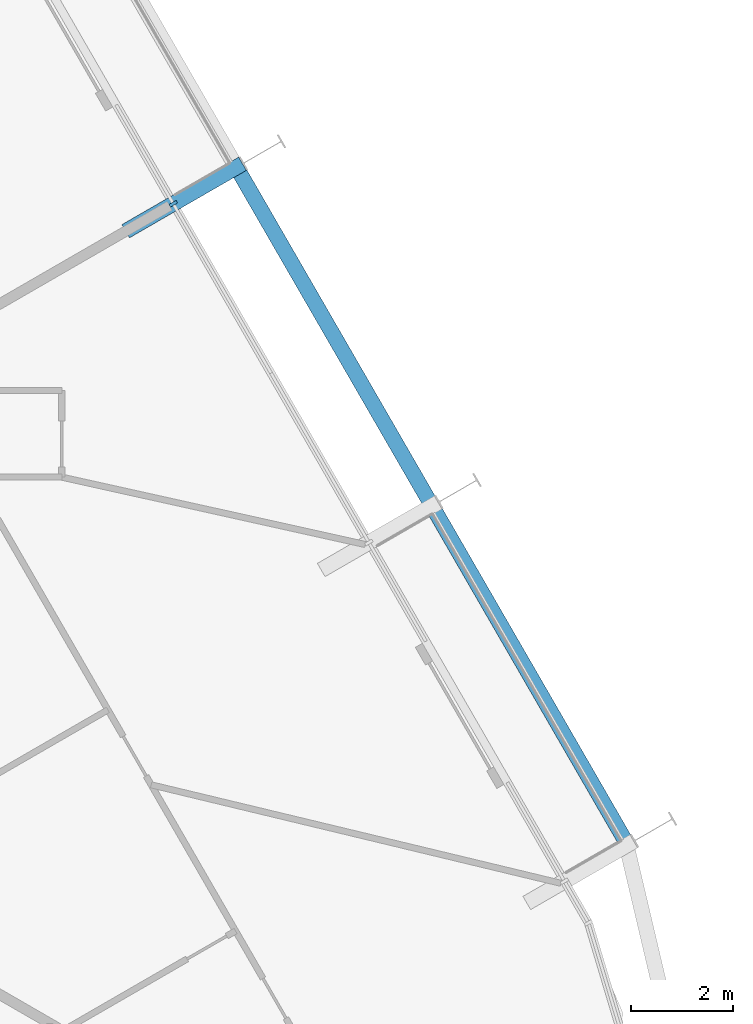
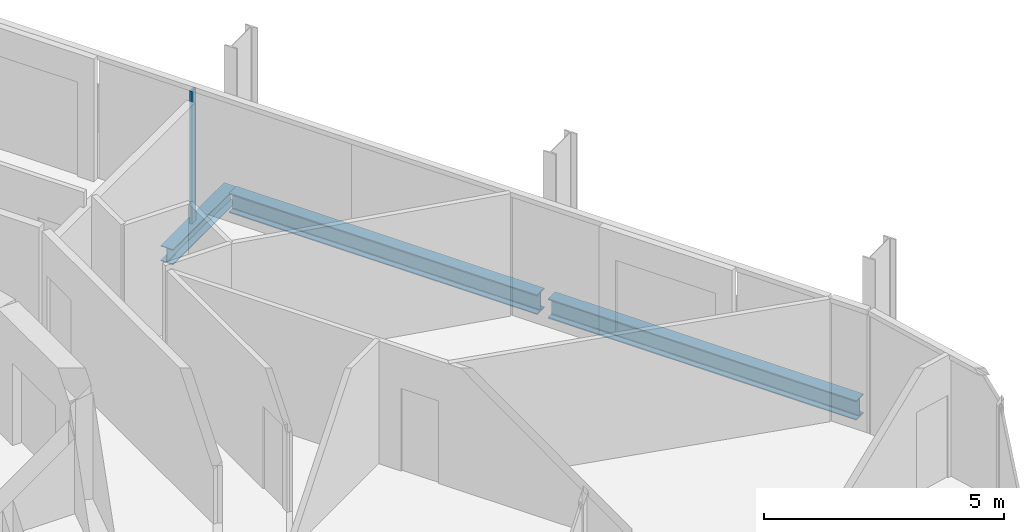
# One storey, part 8 of 21: 3 beams, 1 member, 1 element without a shape of its own.
"""IFC4 building model written with IfcOpenShell, lengths in metres."""

from ifc_helpers import new_model, si_unit, direction, frame, origin, origin_2d, place, context, subcontext, project, spatial, rectangle, i_section, extrude, material, layer, layer_set, material_profile, profile_set, type_object, element, aggregate, save


model = new_model("IFC4")

# Units and contexts
model_context = context("Model", 3, precision=1e-05, world=origin(), true_north=direction((0.0, 1.0)))
body_context = subcontext(model_context, "Body", "Model", "MODEL_VIEW")
ifc_project = project(units=[si_unit("LENGTHUNIT", "METRE"), si_unit("AREAUNIT", "SQUARE_METRE"), si_unit("VOLUMEUNIT", "CUBIC_METRE"), si_unit("PLANEANGLEUNIT", "RADIAN"), si_unit("MASSUNIT", "GRAM", prefix="KILO")], contexts=[model_context])

# Site, building, storey
site_placement = place(None, origin())
site = spatial("IfcSite", under=ifc_project, at=site_placement, CompositionType="ELEMENT")
building_placement = place(site_placement, origin())
building = spatial("IfcBuilding", under=site, at=building_placement, Name="Spindle Arch Residences", CompositionType="ELEMENT")
storey_placement = place(building_placement, frame((0.0, 0.0, 55.89990234375)))
storey = spatial("IfcBuildingStorey", under=building, at=storey_placement, Name="L12", CompositionType="ELEMENT", Elevation=55.89990234375)

# Curtain wall, member
ifc_material_1 = material(Name="Aluminium bronze unitised frame with tinted glass", Category="aluminium")
ifc_layer = layer(ifc_material_1, 0.159912109375)
ifc_layer_set = layer_set([ifc_layer], Name="CW-C typical residential unitised wall")
curtain_wall_type = type_object("IfcCurtainWallType", Name="CW-C typical residential unitised wall", PredefinedType="NOTDEFINED", material=ifc_layer_set)
curtain_wall_placement = place(storey_placement, origin())
curtain_wall = element("IfcCurtainWall", 1, at=curtain_wall_placement, inside=storey, type_object=curtain_wall_type, Name="CW-C L12 run 2", PredefinedType="NOTDEFINED")
ifc_material_2 = material(Name="Aluminium bronze anodised mullion", Category="aluminium")
ifc_material_profile_1 = material_profile(ifc_material_2, rectangle(XDim=0.159912109375, YDim=0.06005859375, at=origin_2d()), Name="MU 60x160")
ifc_profile_set_1 = profile_set([ifc_material_profile_1], Name="Aluminium bronze anodised mullion")
member_type = type_object("IfcMemberType", Name="Bronze mullion 60x160", PredefinedType="MULLION", material=ifc_profile_set_1)
member_placement = place(storey_placement, frame((18.9892578125, 6.529296875, -0.3798828125), z_axis=(0.0, 0.0, 1.0), x_axis=(-0.866025403784, -0.5, 0.0)))
member = element("IfcMember", 2, at=member_placement, type_object=member_type, Name="CW-C mullion 07", PredefinedType="MULLION", context=body_context, shape_type="SweptSolid", body=[
    extrude(rectangle(XDim=0.159912109375, YDim=0.06005859375, at=origin_2d()), origin(), (0.0, 0.0, 1.0), 3.3798828125),
])
aggregate(curtain_wall, [member])

# Beams
ifc_material_3 = material(Name="Steel S460ML, intumescent coating R 120", Category="steel")
ifc_material_profile_2 = material_profile(ifc_material_3, i_section(OverallWidth=0.300048828125, OverallDepth=0.5, WebThickness=0.014404296875, FlangeThickness=0.028076171875, FilletRadius=0.027099609375, at=origin_2d()), Name="HEB 500")
ifc_profile_set_2 = profile_set([ifc_material_profile_2], Name="Steel S460ML, intumescent coating R 120")
beam_type_1 = type_object("IfcBeamType", Name="Exoskeleton edge beam HEB 500", PredefinedType="BEAM", material=ifc_profile_set_2)
for number, where, z_axis, x_axis, name in (
    (3, (27.84521484375, -5.94384765625, -0.6298828125), (-0.49998923004, 0.866031621735, 0.0), (-0.866031621735, -0.49998923004, 0.0), "Exoskeleton edge beam 6"),
    (4, (24.00537109375, 0.707275390625, -0.6298828125), (-0.49998923004, 0.866031621735, 0.0), (-0.866031621735, -0.49998923004, 0.0), "Exoskeleton edge beam 7"),
):
    element("IfcBeam", number, at=place(storey_placement, frame(where, z_axis=z_axis, x_axis=x_axis)), inside=storey, type_object=beam_type_1, Name=name, PredefinedType="BEAM", context=body_context, shape_type="SweptSolid", body=[
        extrude(i_section(OverallWidth=0.300048828125, OverallDepth=0.5, WebThickness=0.014404296875, FlangeThickness=0.028076171875, FilletRadius=0.027099609375, at=origin_2d()), origin(), (0.0, 0.0, 1.0), 7.420166015625),
    ])
ifc_material_4 = material(Name="Steel S460ML, intumescent coating R 120", Category="steel")
ifc_material_profile_3 = material_profile(ifc_material_4, i_section(OverallWidth=0.300048828125, OverallDepth=0.389892578125, WebThickness=0.010986328125, FlangeThickness=0.01904296875, FilletRadius=0.027099609375, at=origin_2d()), Name="HEA 400")
ifc_profile_set_3 = profile_set([ifc_material_profile_3], Name="Steel S460ML, intumescent coating R 120")
beam_type_2 = type_object("IfcBeamType", Name="Floor outrigger HEA 400", PredefinedType="BEAM", material=ifc_profile_set_3)
beam_placement = place(storey_placement, frame((20.34912109375, 7.314453125, -0.574951171875), z_axis=(-0.866052124492, -0.499953715521, 0.0), x_axis=(0.499953715521, -0.866052124492, 0.0)))
element("IfcBeam", 5, at=beam_placement, inside=storey, type_object=beam_type_2, Name="Floor outrigger 8", PredefinedType="BEAM", context=body_context, shape_type="SweptSolid", body=[
    extrude(i_section(OverallWidth=0.300048828125, OverallDepth=0.389892578125, WebThickness=0.010986328125, FlangeThickness=0.01904296875, FilletRadius=0.027099609375, at=origin_2d()), origin(), (0.0, 0.0, 1.0), 2.650146484375),
])

save(model, "model.ifc")
